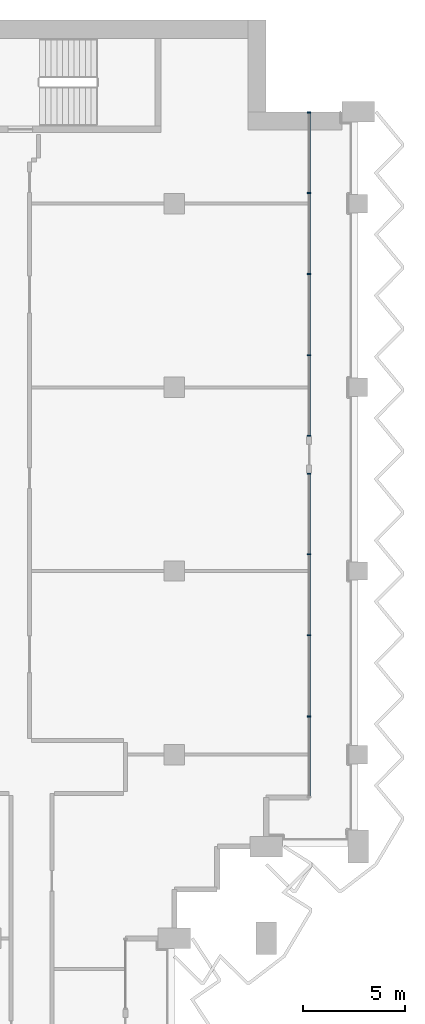
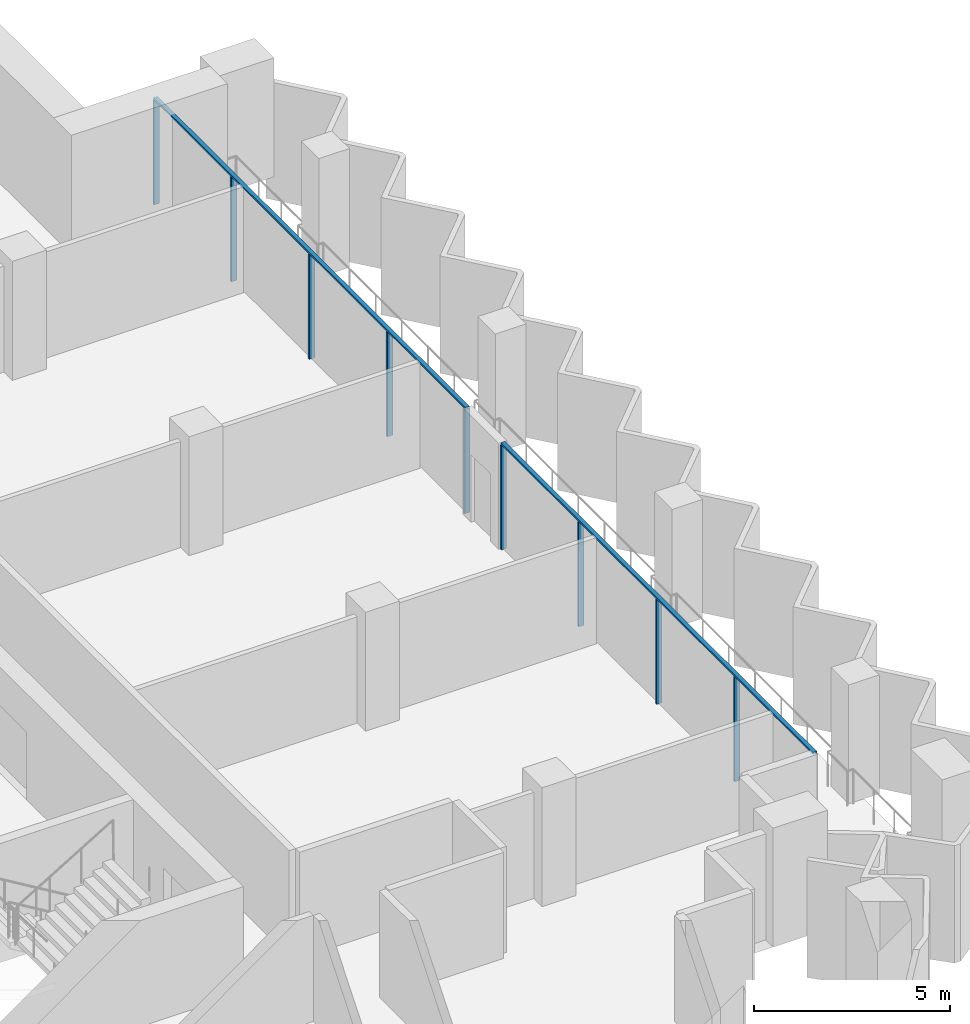
# One storey, part 4 of 15: 11 members, 2 elements without a shape of their own.
"""IFC4 building model written with IfcOpenShell, lengths in metres."""

import ifcopenshell
import ifcopenshell.guid

model = None  # the IFC model being written
_history = None  # IfcOwnerHistory: only IFC2X3 demands one
_inside = {}  # id of a spatial element -> (the spatial element, [elements in it])
_under = {}  # id of a project, library or spatial element -> (it, [spatial elements below it])
_declared = {}  # id of a project -> (the project, [libraries it declares])
_typed = {}  # id of a type object -> (the type object, [elements of that type])
_made_of = {}  # id of a material, layer set ... -> (it, [elements and type objects made of it])


def new_model(schema):
    """Start an empty IFC model of exactly this schema.

    Asked for "IFC4X3", IfcOpenShell would pick the latest addendum, in which some entities
    have other attributes; the version numbers below select the first issue.
    IFC2X3 requires an IfcOwnerHistory on every rooted entity: one is made here for all.
    """
    global model, _history
    if schema == "IFC4X3":
        model = ifcopenshell.file(schema_version=(4, 3, 0, 0))
    else:
        model = ifcopenshell.file(schema=schema)
    _inside.clear()
    _under.clear()
    _declared.clear()
    _typed.clear()
    _made_of.clear()
    _history = None
    if model.schema == "IFC2X3":
        org = make("IfcOrganization", Name="unknown")
        user = make(
            "IfcPersonAndOrganization",
            ThePerson=make("IfcPerson", FamilyName="unknown"),
            TheOrganization=org,
        )
        app = make(
            "IfcApplication",
            ApplicationDeveloper=org,
            Version="unknown",
            ApplicationFullName="unknown",
            ApplicationIdentifier="unknown",
        )
        _history = make(
            "IfcOwnerHistory",
            OwningUser=user,
            OwningApplication=app,
            ChangeAction="ADDED",
            CreationDate=0,
        )
    return model


def make(cls, **values):
    """One entity of the class cls with the attributes given. An attribute that is None is left unset."""
    return model.create_entity(
        cls, **{name: value for name, value in values.items() if value is not None}
    )


def rooted(cls, **values):
    """An entity with a GlobalId (a new one), such as an element, a storey or a relation."""
    return make(cls, GlobalId=ifcopenshell.guid.new(), OwnerHistory=_history, **values)


def si_unit(unit_type, name, prefix=None):
    """IfcSIUnit, for example si_unit("LENGTHUNIT", "METRE", prefix="MILLI")."""
    return make("IfcSIUnit", UnitType=unit_type, Prefix=prefix, Name=name)


def assignment(units):
    """IfcUnitAssignment: the units of a project."""
    return None if units is None else make("IfcUnitAssignment", Units=units)


def point(xyz):
    """IfcCartesianPoint."""
    return None if xyz is None else make("IfcCartesianPoint", Coordinates=xyz)


def direction(xyz):
    """IfcDirection."""
    return None if xyz is None else make("IfcDirection", DirectionRatios=xyz)


def frame(location, z_axis=None, x_axis=None):
    """IfcAxis2Placement3D, a coordinate frame: its origin and axes. An axis left out is left unset."""
    return make(
        "IfcAxis2Placement3D",
        Location=point(location),
        Axis=direction(z_axis),
        RefDirection=direction(x_axis),
    )


def frame_2d(location, x_axis=None):
    """IfcAxis2Placement2D, a coordinate frame in the plane: its origin and x axis."""
    return make(
        "IfcAxis2Placement2D", Location=point(location), RefDirection=direction(x_axis)
    )


def origin():
    """The frame at (0, 0, 0) with its axes left unset."""
    return frame((0.0, 0.0, 0.0))


def origin_2d():
    """The frame at (0, 0) in the plane with its x axis left unset."""
    return frame_2d((0.0, 0.0))


def place(relative_to, where):
    """IfcLocalPlacement: puts the frame where relative to a parent placement (None: the world)."""
    return make(
        "IfcLocalPlacement", PlacementRelTo=relative_to, RelativePlacement=where
    )


def context(
    kind, dimensions, precision=None, world=None, true_north=None, identifier=None
):
    """IfcGeometricRepresentationContext, for example the 3D "Model" context."""
    return make(
        "IfcGeometricRepresentationContext",
        ContextIdentifier=identifier,
        ContextType=kind,
        CoordinateSpaceDimension=dimensions,
        Precision=precision,
        WorldCoordinateSystem=world,
        TrueNorth=true_north,
    )


def subcontext(parent, identifier, kind, view, scale=None):
    """IfcGeometricRepresentationSubContext, for example "Body" below "Model"."""
    return make(
        "IfcGeometricRepresentationSubContext",
        ContextIdentifier=identifier,
        ContextType=kind,
        ParentContext=parent,
        TargetScale=scale,
        TargetView=view,
    )


def project(units=None, contexts=None):
    """IfcProject with its units and contexts."""
    return rooted(
        "IfcProject",
        Name="project",
        RepresentationContexts=contexts,
        UnitsInContext=assignment(units),
    )


def spatial(cls, under=None, at=None, **own):
    """A site, building, storey or space (cls), placed at a placement, below another one or the project."""
    s = rooted(cls, ObjectPlacement=at, **own)
    if under is not None:
        _under.setdefault(under.id(), (under, []))[1].append(s)
    return s


def profile(cls, at=None, kind="AREA", **sizes):
    """A parametric profile (cls). Its sizes go by their IFC names, for example OverallWidth=200.0."""
    return make(cls, ProfileType=kind, Position=at, **sizes)


def rectangle(**sizes):
    """IfcRectangleProfileDef."""
    return profile("IfcRectangleProfileDef", **sizes)


def extrude(swept, where, along, depth):
    """IfcExtrudedAreaSolid: the profile swept, set in the frame where, extruded along a direction by depth."""
    return make(
        "IfcExtrudedAreaSolid",
        SweptArea=swept,
        Position=where,
        ExtrudedDirection=direction(along),
        Depth=depth,
    )


def shape(context_of_items, identifier, shape_type, items):
    """IfcShapeRepresentation: the items that make up one representation, for example the "Body"."""
    return make(
        "IfcShapeRepresentation",
        ContextOfItems=context_of_items,
        RepresentationIdentifier=identifier,
        RepresentationType=shape_type,
        Items=items,
    )


def material(Name=None, Category=None):
    """IfcMaterial."""
    return make("IfcMaterial", Name=Name, Category=Category)


def material_profile(
    of_material, cross_section, Name=None, Category=None, Priority=None
):
    """IfcMaterialProfile: a cross section and its material."""
    return make(
        "IfcMaterialProfile",
        Name=Name,
        Material=of_material,
        Profile=cross_section,
        Priority=Priority,
        Category=Category,
    )


def profile_set(profiles, Name=None, composite=None):
    """IfcMaterialProfileSet."""
    return make(
        "IfcMaterialProfileSet",
        Name=Name,
        MaterialProfiles=profiles,
        CompositeProfile=composite,
    )


def made_of(thing, what):
    """Note that an element or type object is made of a material, layer set ...; save() writes the relation."""
    if what is not None:
        _made_of.setdefault(what.id(), (what, []))[1].append(thing)
    return thing


def type_object(cls, material=None, **own):
    """A type object (cls), such as IfcWallType, which elements share."""
    return made_of(rooted(cls, **own), material)


def element(
    cls,
    number,
    at=None,
    inside=None,
    cuts=None,
    type_object=None,
    material=None,
    context=None,
    identifier="Body",
    shape_type=None,
    held_by="IfcProductDefinitionShape",
    body=None,
    shapes=None,
    **own,
):
    """One element of the class cls, such as IfcWall. Its Tag is "e" and its number.

    at: its placement. inside: the storey or other place that contains it. cuts: it is an
    opening in that element (IfcRelVoidsElement). A single representation is given by context,
    identifier, shape_type and body (its items); several are given by shapes. held_by: the class
    of the entity that holds the representations. save() writes the other relations.
    """
    e = rooted(cls, Tag="e%d" % number, ObjectPlacement=at, **own)
    if body is not None:
        shapes = [shape(context, identifier, shape_type, body)]
    if shapes is not None:
        e.Representation = make(held_by, Representations=shapes)
    if inside is not None:
        _inside.setdefault(inside.id(), (inside, []))[1].append(e)
    if cuts is not None:
        rooted(
            "IfcRelVoidsElement", RelatingBuildingElement=cuts, RelatedOpeningElement=e
        )
    if type_object is not None:
        _typed.setdefault(type_object.id(), (type_object, []))[1].append(e)
    return made_of(e, material)


def aggregate(whole, parts):
    """IfcRelAggregates: a whole, such as a stair, and the parts it consists of."""
    return rooted("IfcRelAggregates", RelatingObject=whole, RelatedObjects=parts)


def save(model, path):
    """Write the relations noted so far, then the file.

    IfcRelAggregates (storeys below a building ...), IfcRelContainedInSpatialStructure (elements
    in a storey), IfcRelDefinesByType, IfcRelAssociatesMaterial and IfcRelDeclares: one each for
    every whole, place, type object, material and project.
    """
    for whole, parts in _under.values():
        aggregate(whole, parts)
    for where, things in _inside.values():
        rooted(
            "IfcRelContainedInSpatialStructure",
            RelatedElements=things,
            RelatingStructure=where,
        )
    for kind, things in _typed.values():
        rooted("IfcRelDefinesByType", RelatedObjects=things, RelatingType=kind)
    for what, things in _made_of.values():
        rooted("IfcRelAssociatesMaterial", RelatedObjects=things, RelatingMaterial=what)
    for by, libraries in _declared.values():
        rooted("IfcRelDeclares", RelatingContext=by, RelatedDefinitions=libraries)
    model.write(path)


model = new_model("IFC4")

# Units and contexts
model_context = context("Model", 3, precision=1e-05, world=origin(), true_north=direction((0.0, 1.0)))
body_context = subcontext(model_context, "Body", "Model", "MODEL_VIEW")
ifc_project = project(units=[si_unit("LENGTHUNIT", "METRE"), si_unit("AREAUNIT", "SQUARE_METRE"), si_unit("VOLUMEUNIT", "CUBIC_METRE"), si_unit("PLANEANGLEUNIT", "RADIAN"), si_unit("MASSUNIT", "GRAM", prefix="KILO")], contexts=[model_context])

# Site, building, storey
site_placement = place(None, origin())
site = spatial("IfcSite", under=ifc_project, at=site_placement, CompositionType="ELEMENT")
building_placement = place(site_placement, origin())
building = spatial("IfcBuilding", under=site, at=building_placement, Name="Hunhe Ridgeline Campus", CompositionType="ELEMENT")
storey_placement = place(building_placement, frame((0.0, 0.0, 231.800048828125)))
storey = spatial("IfcBuildingStorey", under=building, at=storey_placement, Name="L59", CompositionType="ELEMENT", Elevation=231.800048828125)

# Curtain wall, members
ifc_material = material(Name="Aluminium 6063", Category="aluminium")
curtain_wall_type = type_object("IfcCurtainWallType", Name="Curtain wall CW-1", PredefinedType="NOTDEFINED", material=ifc_material)
curtain_wall_1_placement = place(storey_placement, origin())
curtain_wall_1 = element("IfcCurtainWall", 1, at=curtain_wall_1_placement, inside=storey, type_object=curtain_wall_type, Name="Curtain wall 13", PredefinedType="NOTDEFINED")
ifc_material_profile_1 = material_profile(ifc_material, rectangle(XDim=0.159912109375, YDim=0.06005859375, at=origin_2d()))
ifc_profile_set_1 = profile_set([ifc_material_profile_1], Name="Aluminium 6063")
member_type_1 = type_object("IfcMemberType", Name="CW-1 aluminium mullion", PredefinedType="MULLION", material=ifc_profile_set_1)
member_1_placement = place(storey_placement, frame((51.59912109375, 64.8759765625, 0.0), z_axis=(0.0, 0.0, 1.0), x_axis=(-1.0, 0.0, 0.0)))
member_1 = element("IfcMember", 2, at=member_1_placement, type_object=member_type_1, Name="CW-1 mullion 2", PredefinedType="MULLION", context=body_context, shape_type="SweptSolid", body=[
    extrude(rectangle(XDim=0.159912109375, YDim=0.06005859375, at=origin_2d()), origin(), (0.0, 0.0, 1.0), 3.239990234375),
])
member_2_placement = place(storey_placement, frame((51.59912109375, 68.850830078125, 0.0), z_axis=(0.0, 0.0, 1.0), x_axis=(-1.0, 0.0, 0.0)))
member_2 = element("IfcMember", 3, at=member_2_placement, type_object=member_type_1, Name="CW-1 mullion 3", PredefinedType="MULLION", context=body_context, shape_type="SweptSolid", body=[
    extrude(rectangle(XDim=0.159912109375, YDim=0.06005859375, at=origin_2d()), origin(), (0.0, 0.0, 1.0), 3.239990234375),
])
member_3_placement = place(storey_placement, frame((51.59912109375, 72.82568359375, 0.0), z_axis=(0.0, 0.0, 1.0), x_axis=(-1.0, 0.0, 0.0)))
member_3 = element("IfcMember", 4, at=member_3_placement, type_object=member_type_1, Name="CW-1 mullion 4", PredefinedType="MULLION", context=body_context, shape_type="SweptSolid", body=[
    extrude(rectangle(XDim=0.159912109375, YDim=0.06005859375, at=origin_2d()), origin(), (0.0, 0.0, 1.0), 3.239990234375),
])
member_4_placement = place(storey_placement, frame((51.59912109375, 76.7705078125, 0.0), z_axis=(0.0, 0.0, 1.0), x_axis=(-1.0, 0.0, 0.0)))
member_4 = element("IfcMember", 5, at=member_4_placement, type_object=member_type_1, Name="CW-1 mullion 5", PredefinedType="MULLION", context=body_context, shape_type="SweptSolid", body=[
    extrude(rectangle(XDim=0.159912109375, YDim=0.06005859375, at=origin_2d()), origin(), (0.0, 0.0, 1.0), 3.239990234375),
])

curtain_wall_2_placement = place(storey_placement, origin())
curtain_wall_2 = element("IfcCurtainWall", 6, at=curtain_wall_2_placement, inside=storey, type_object=curtain_wall_type, Name="Curtain wall 14", PredefinedType="NOTDEFINED")
member_5_placement = place(storey_placement, frame((51.59912109375, 78.630615234375, 0.0), z_axis=(0.0, 0.0, 1.0), x_axis=(-1.0, 0.0, 0.0)))
member_5 = element("IfcMember", 7, at=member_5_placement, type_object=member_type_1, Name="CW-1 mullion 1", PredefinedType="MULLION", context=body_context, shape_type="SweptSolid", body=[
    extrude(rectangle(XDim=0.159912109375, YDim=0.06005859375, at=origin_2d()), origin(), (0.0, 0.0, 1.0), 3.239990234375),
])
member_6_placement = place(storey_placement, frame((51.59912109375, 82.575439453125, 0.0), z_axis=(0.0, 0.0, 1.0), x_axis=(-1.0, 0.0, 0.0)))
member_6 = element("IfcMember", 8, at=member_6_placement, type_object=member_type_1, Name="CW-1 mullion 2", PredefinedType="MULLION", context=body_context, shape_type="SweptSolid", body=[
    extrude(rectangle(XDim=0.159912109375, YDim=0.06005859375, at=origin_2d()), origin(), (0.0, 0.0, 1.0), 3.239990234375),
])
member_7_placement = place(storey_placement, frame((51.59912109375, 86.55029296875, 0.0), z_axis=(0.0, 0.0, 1.0), x_axis=(-1.0, 0.0, 0.0)))
member_7 = element("IfcMember", 9, at=member_7_placement, type_object=member_type_1, Name="CW-1 mullion 3", PredefinedType="MULLION", context=body_context, shape_type="SweptSolid", body=[
    extrude(rectangle(XDim=0.159912109375, YDim=0.06005859375, at=origin_2d()), origin(), (0.0, 0.0, 1.0), 3.239990234375),
])
member_8_placement = place(storey_placement, frame((51.59912109375, 90.525146484375, 0.0), z_axis=(0.0, 0.0, 1.0), x_axis=(-1.0, 0.0, 0.0)))
member_8 = element("IfcMember", 10, at=member_8_placement, type_object=member_type_1, Name="CW-1 mullion 4", PredefinedType="MULLION", context=body_context, shape_type="SweptSolid", body=[
    extrude(rectangle(XDim=0.159912109375, YDim=0.06005859375, at=origin_2d()), origin(), (0.0, 0.0, 1.0), 3.239990234375),
])
member_9_placement = place(storey_placement, frame((51.59912109375, 94.469970703125, 0.0), z_axis=(0.0, 0.0, 1.0), x_axis=(-1.0, 0.0, 0.0)))
member_9 = element("IfcMember", 11, at=member_9_placement, type_object=member_type_1, Name="CW-1 mullion 5", PredefinedType="MULLION", context=body_context, shape_type="SweptSolid", body=[
    extrude(rectangle(XDim=0.159912109375, YDim=0.06005859375, at=origin_2d()), origin(), (0.0, 0.0, 1.0), 3.239990234375),
])

# Member
ifc_material_profile_2 = material_profile(ifc_material, rectangle(XDim=0.1201171875, YDim=0.06005859375, at=origin_2d()))
ifc_profile_set_2 = profile_set([ifc_material_profile_2], Name="Aluminium 6063")
member_type_2 = type_object("IfcMemberType", Name="CW-1 aluminium transom", PredefinedType="USERDEFINED", material=ifc_profile_set_2)
member_10_placement = place(storey_placement, frame((51.59912109375, 60.90087890625, 3.27001953125), z_axis=(0.0, 1.0, 0.0), x_axis=(-1.0, 0.0, 0.0)))
member_10 = element("IfcMember", 12, at=member_10_placement, type_object=member_type_2, Name="CW-1 transom 1", ObjectType="TRANSOM", PredefinedType="USERDEFINED", context=body_context, shape_type="SweptSolid", body=[
    extrude(rectangle(XDim=0.1201171875, YDim=0.06005859375, at=origin_2d()), origin(), (0.0, 0.0, 1.0), 15.899658203125),
])

aggregate(curtain_wall_1, [member_10, member_1, member_2, member_3, member_4])

member_11_placement = place(storey_placement, frame((51.59912109375, 78.6005859375, 3.27001953125), z_axis=(0.0, 1.0, 0.0), x_axis=(-1.0, 0.0, 0.0)))
member_11 = element("IfcMember", 13, at=member_11_placement, type_object=member_type_2, Name="CW-1 transom 1", ObjectType="TRANSOM", PredefinedType="USERDEFINED", context=body_context, shape_type="SweptSolid", body=[
    extrude(rectangle(XDim=0.1201171875, YDim=0.06005859375, at=origin_2d()), origin(), (0.0, 0.0, 1.0), 15.8994140625),
])

aggregate(curtain_wall_2, [member_11, member_5, member_6, member_7, member_8, member_9])

save(model, "model.ifc")
